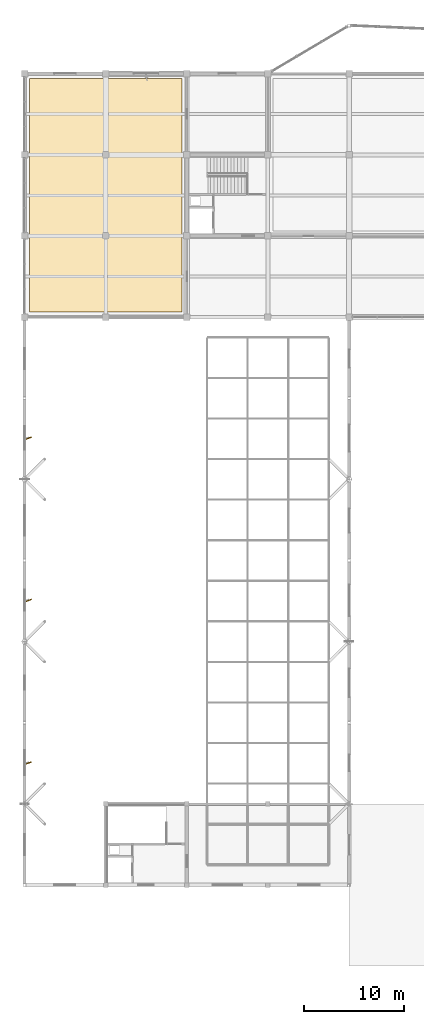
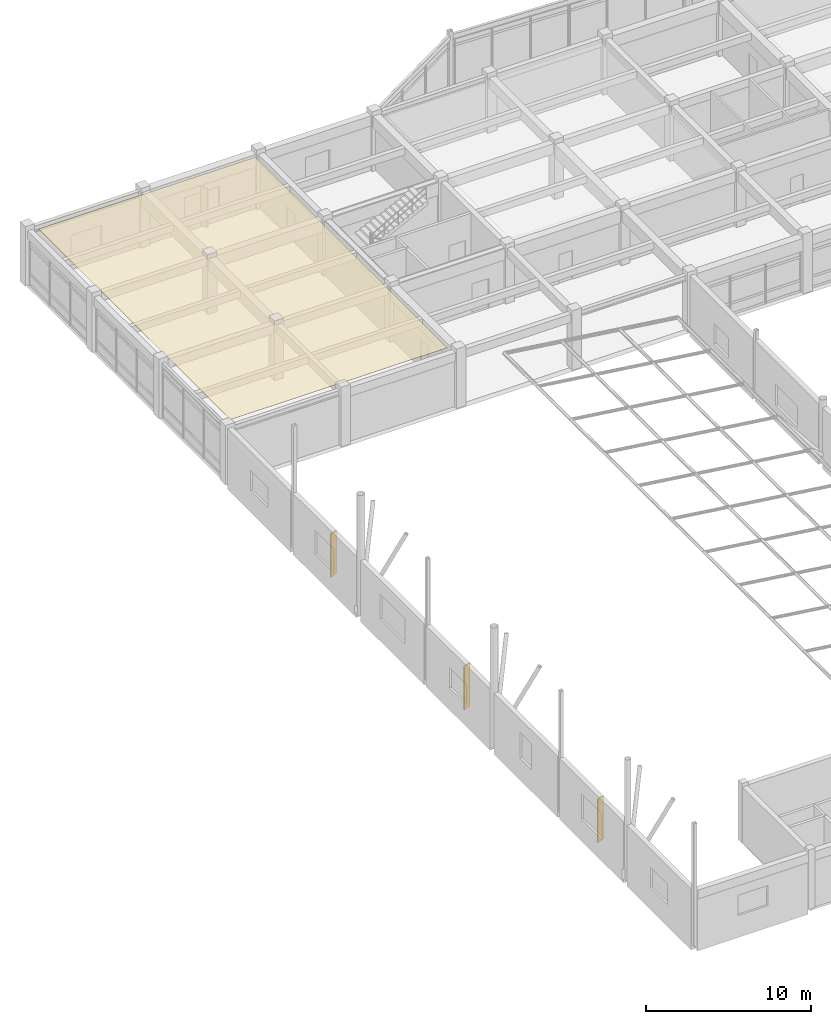
# One storey, part 83 of 89: 3 shading devices, 1 covering.
"""IFC4 building model written with IfcOpenShell, lengths in metres."""

from ifc_helpers import new_model, si_unit, direction, frame, origin, origin_2d, place, context, subcontext, project, spatial, polyline, rectangle, outline, extrude, material, layer, layer_set, type_object, element, save


model = new_model("IFC4")

# Units and contexts
model_context = context("Model", 3, precision=1e-05, world=origin(), true_north=direction((0.0, 1.0)))
body_context = subcontext(model_context, "Body", "Model", "MODEL_VIEW")
ifc_project = project(units=[si_unit("LENGTHUNIT", "METRE"), si_unit("AREAUNIT", "SQUARE_METRE"), si_unit("VOLUMEUNIT", "CUBIC_METRE"), si_unit("PLANEANGLEUNIT", "RADIAN"), si_unit("MASSUNIT", "GRAM", prefix="KILO")], contexts=[model_context])

# Site, building, storey
site_placement = place(None, origin())
site = spatial("IfcSite", under=ifc_project, at=site_placement, CompositionType="ELEMENT")
building_placement = place(site_placement, origin())
building = spatial("IfcBuilding", under=site, at=building_placement, Name="Vaudrelin Polytechnic", CompositionType="ELEMENT")
storey_placement = place(building_placement, frame((0.0, 0.0, 9.68994140625)))
storey = spatial("IfcBuildingStorey", under=building, at=storey_placement, Name="L02", CompositionType="ELEMENT", Elevation=9.68994140625)

# Covering
ifc_material_1 = material(Name="Mineral-fibre acoustic ceiling tile NRC 0.85", Category="ceiling")
ifc_layer = layer(ifc_material_1, 0.02490234375)
ifc_layer_set = layer_set([ifc_layer], Name="Mineral-fibre acoustic ceiling tile NRC 0.85")
covering_type = type_object("IfcCoveringType", Name="COV-CLG-ACT", PredefinedType="CEILING", material=ifc_layer_set)
covering_placement = place(storey_placement, frame((0.0, 0.0, 4.05517578125)))
element("IfcCovering", 1, at=covering_placement, inside=storey, type_object=covering_type, Name="Acoustic ceiling L02-007", PredefinedType="CEILING", context=body_context, shape_type="SweptSolid", body=[
    extrude(outline(polyline([(0.5, 97.699951171875), (15.699951171875, 97.699951171875), (15.699951171875, 121.0), (0.5, 121.0), (0.5, 97.699951171875)])), origin(), (0.0, 0.0, 1.0), 0.02490234375),
])

# Shading devices
ifc_material_2 = material(Name="Anodised perforated aluminium AA 5005", Category="aluminium")
shading_device_type = type_object("IfcShadingDeviceType", Name="ENV-SF-FIN1", PredefinedType="USERDEFINED", material=ifc_material_2)
for number, where, z_axis, x_axis, name in (
    (2, (0.429931640625, 52.68798828125, 0.2001953125), (0.0, 0.0, 1.0), (0.927183854567, 0.374606593416, 0.0), "Perforated solar fin SF-020"),
    (3, (0.429931640625, 68.91357421875, 0.2001953125), (0.0, 0.0, 1.0), (0.927183854567, 0.374606593416, 0.0), "Perforated solar fin SF-021"),
    (4, (0.429931640625, 85.113525390625, 0.2001953125), (0.0, 0.0, 1.0), (0.927183854567, 0.374606593416, 0.0), "Perforated solar fin SF-022"),
):
    element("IfcShadingDevice", number, at=place(storey_placement, frame(where, z_axis=z_axis, x_axis=x_axis)), inside=storey, type_object=shading_device_type, Name=name, ObjectType="SOLAR FIN", PredefinedType="USERDEFINED", context=body_context, shape_type="SweptSolid", body=[
        extrude(rectangle(XDim=0.550048828125, YDim=0.080078125, at=origin_2d()), origin(), (0.0, 0.0, 1.0), 3.199951171875),
    ])

save(model, "model.ifc")
